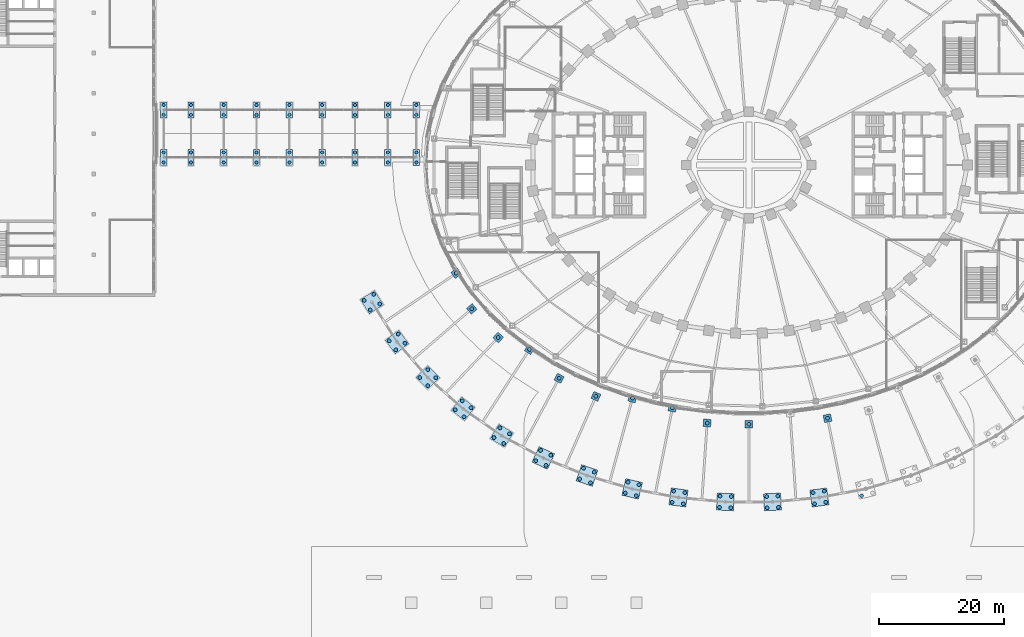
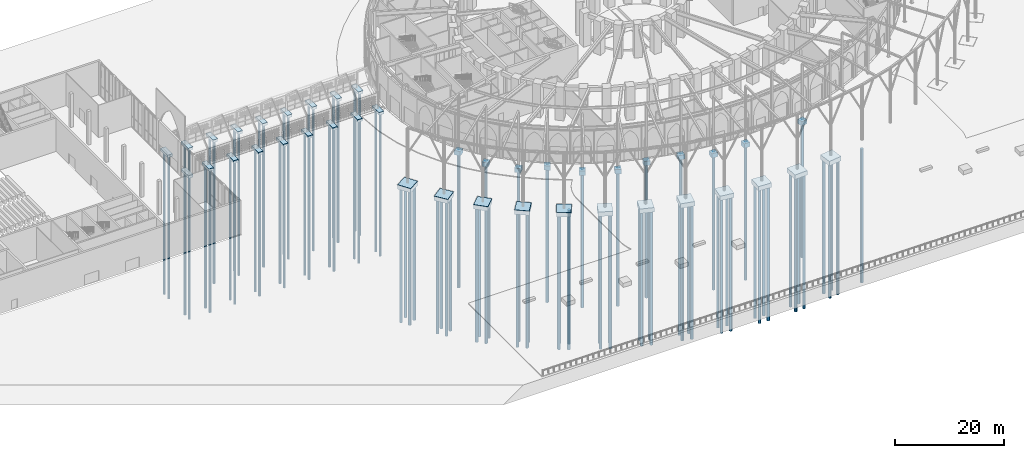
# One storey, part 1 of 79: 96 piles, 41 footings.
"""IFC4 building model written with IfcOpenShell, lengths in metres."""

from ifc_helpers import new_model, si_unit, direction, frame, origin, origin_2d, place, context, subcontext, project, spatial, polyline, circle, outline, extrude, material, layer, layer_set, material_profile, profile_set, type_object, element, save


model = new_model("IFC4")

# Units and contexts
model_context = context("Model", 3, precision=1e-05, world=origin(), true_north=direction((0.0, 1.0)))
body_context = subcontext(model_context, "Body", "Model", "MODEL_VIEW")
ifc_project = project(units=[si_unit("LENGTHUNIT", "METRE"), si_unit("AREAUNIT", "SQUARE_METRE"), si_unit("VOLUMEUNIT", "CUBIC_METRE"), si_unit("PLANEANGLEUNIT", "RADIAN"), si_unit("MASSUNIT", "GRAM", prefix="KILO")], contexts=[model_context])

# Site, building, storey
site_placement = place(None, origin())
site = spatial("IfcSite", under=ifc_project, at=site_placement, CompositionType="ELEMENT")
building_placement = place(site_placement, origin())
building = spatial("IfcBuilding", under=site, at=building_placement, Name="Noorbagh Ring Tower", CompositionType="ELEMENT")
storey_placement = place(building_placement, origin())
storey = spatial("IfcBuildingStorey", under=building, at=storey_placement, Name="L00", CompositionType="ELEMENT", Elevation=0.0)

# Footings
ifc_material_1 = material(Name="Concrete C40/50", Category="concrete")
footing_type_1 = type_object("IfcFootingType", Name="AR-CAP", PredefinedType="PILE_CAP", material=ifc_material_1)
footing_1_placement = place(storey_placement, frame((0.0, 0.0, -0.60009765625)))
element("IfcFooting", 1, at=footing_1_placement, inside=storey, type_object=footing_type_1, Name="Arcade pile cap 1S", PredefinedType="PILE_CAP", context=body_context, shape_type="SweptSolid", body=[
    extrude(outline(polyline([(-94.10009765625, -0.10009765625), (-93.10009765625, -0.10009765625), (-93.10009765625, 2.5), (-94.10009765625, 2.5), (-94.10009765625, -0.10009765625)])), origin(), (0.0, 0.0, 1.0), 0.60009765625),
])
footing_2_placement = place(storey_placement, frame((0.0, 0.0, -0.60009765625)))
element("IfcFooting", 2, at=footing_2_placement, inside=storey, type_object=footing_type_1, Name="Arcade pile cap 1N", PredefinedType="PILE_CAP", context=body_context, shape_type="SweptSolid", body=[
    extrude(outline(polyline([(-94.10009765625, 7.5), (-93.10009765625, 7.5), (-93.10009765625, 10.10009765625), (-94.10009765625, 10.10009765625), (-94.10009765625, 7.5)])), origin(), (0.0, 0.0, 1.0), 0.60009765625),
])
footing_3_placement = place(storey_placement, frame((0.0, 0.0, -0.60009765625)))
element("IfcFooting", 3, at=footing_3_placement, inside=storey, type_object=footing_type_1, Name="Arcade pile cap 2S", PredefinedType="PILE_CAP", context=body_context, shape_type="SweptSolid", body=[
    extrude(outline(polyline([(-89.75, -0.10009765625), (-88.75, -0.10009765625), (-88.75, 2.5), (-89.75, 2.5), (-89.75, -0.10009765625)])), origin(), (0.0, 0.0, 1.0), 0.60009765625),
])
footing_4_placement = place(storey_placement, frame((0.0, 0.0, -0.60009765625)))
element("IfcFooting", 4, at=footing_4_placement, inside=storey, type_object=footing_type_1, Name="Arcade pile cap 2N", PredefinedType="PILE_CAP", context=body_context, shape_type="SweptSolid", body=[
    extrude(outline(polyline([(-89.75, 7.5), (-88.75, 7.5), (-88.75, 10.10009765625), (-89.75, 10.10009765625), (-89.75, 7.5)])), origin(), (0.0, 0.0, 1.0), 0.60009765625),
])
footing_5_placement = place(storey_placement, frame((0.0, 0.0, -0.60009765625)))
element("IfcFooting", 5, at=footing_5_placement, inside=storey, type_object=footing_type_1, Name="Arcade pile cap 3S", PredefinedType="PILE_CAP", context=body_context, shape_type="SweptSolid", body=[
    extrude(outline(polyline([(-84.5, -0.10009765625), (-83.5, -0.10009765625), (-83.5, 2.5), (-84.5, 2.5), (-84.5, -0.10009765625)])), origin(), (0.0, 0.0, 1.0), 0.60009765625),
])
footing_6_placement = place(storey_placement, frame((0.0, 0.0, -0.60009765625)))
element("IfcFooting", 6, at=footing_6_placement, inside=storey, type_object=footing_type_1, Name="Arcade pile cap 3N", PredefinedType="PILE_CAP", context=body_context, shape_type="SweptSolid", body=[
    extrude(outline(polyline([(-84.5, 7.5), (-83.5, 7.5), (-83.5, 10.10009765625), (-84.5, 10.10009765625), (-84.5, 7.5)])), origin(), (0.0, 0.0, 1.0), 0.60009765625),
])
footing_7_placement = place(storey_placement, frame((0.0, 0.0, -0.60009765625)))
element("IfcFooting", 7, at=footing_7_placement, inside=storey, type_object=footing_type_1, Name="Arcade pile cap 4S", PredefinedType="PILE_CAP", context=body_context, shape_type="SweptSolid", body=[
    extrude(outline(polyline([(-79.25, -0.10009765625), (-78.25, -0.10009765625), (-78.25, 2.5), (-79.25, 2.5), (-79.25, -0.10009765625)])), origin(), (0.0, 0.0, 1.0), 0.60009765625),
])
footing_8_placement = place(storey_placement, frame((0.0, 0.0, -0.60009765625)))
element("IfcFooting", 8, at=footing_8_placement, inside=storey, type_object=footing_type_1, Name="Arcade pile cap 4N", PredefinedType="PILE_CAP", context=body_context, shape_type="SweptSolid", body=[
    extrude(outline(polyline([(-79.25, 7.5), (-78.25, 7.5), (-78.25, 10.10009765625), (-79.25, 10.10009765625), (-79.25, 7.5)])), origin(), (0.0, 0.0, 1.0), 0.60009765625),
])
footing_9_placement = place(storey_placement, frame((0.0, 0.0, -0.60009765625)))
element("IfcFooting", 9, at=footing_9_placement, inside=storey, type_object=footing_type_1, Name="Arcade pile cap 5S", PredefinedType="PILE_CAP", context=body_context, shape_type="SweptSolid", body=[
    extrude(outline(polyline([(-74.0, -0.10009765625), (-73.0, -0.10009765625), (-73.0, 2.5), (-74.0, 2.5), (-74.0, -0.10009765625)])), origin(), (0.0, 0.0, 1.0), 0.60009765625),
])
footing_10_placement = place(storey_placement, frame((0.0, 0.0, -0.60009765625)))
element("IfcFooting", 10, at=footing_10_placement, inside=storey, type_object=footing_type_1, Name="Arcade pile cap 5N", PredefinedType="PILE_CAP", context=body_context, shape_type="SweptSolid", body=[
    extrude(outline(polyline([(-74.0, 7.5), (-73.0, 7.5), (-73.0, 10.10009765625), (-74.0, 10.10009765625), (-74.0, 7.5)])), origin(), (0.0, 0.0, 1.0), 0.60009765625),
])
footing_11_placement = place(storey_placement, frame((0.0, 0.0, -0.60009765625)))
element("IfcFooting", 11, at=footing_11_placement, inside=storey, type_object=footing_type_1, Name="Arcade pile cap 6S", PredefinedType="PILE_CAP", context=body_context, shape_type="SweptSolid", body=[
    extrude(outline(polyline([(-68.75, -0.10009765625), (-67.75, -0.10009765625), (-67.75, 2.5), (-68.75, 2.5), (-68.75, -0.10009765625)])), origin(), (0.0, 0.0, 1.0), 0.60009765625),
])
footing_12_placement = place(storey_placement, frame((0.0, 0.0, -0.60009765625)))
element("IfcFooting", 12, at=footing_12_placement, inside=storey, type_object=footing_type_1, Name="Arcade pile cap 6N", PredefinedType="PILE_CAP", context=body_context, shape_type="SweptSolid", body=[
    extrude(outline(polyline([(-68.75, 7.5), (-67.75, 7.5), (-67.75, 10.10009765625), (-68.75, 10.10009765625), (-68.75, 7.5)])), origin(), (0.0, 0.0, 1.0), 0.60009765625),
])
footing_13_placement = place(storey_placement, frame((0.0, 0.0, -0.60009765625)))
element("IfcFooting", 13, at=footing_13_placement, inside=storey, type_object=footing_type_1, Name="Arcade pile cap 7S", PredefinedType="PILE_CAP", context=body_context, shape_type="SweptSolid", body=[
    extrude(outline(polyline([(-63.5, -0.10009765625), (-62.5, -0.10009765625), (-62.5, 2.5), (-63.5, 2.5), (-63.5, -0.10009765625)])), origin(), (0.0, 0.0, 1.0), 0.60009765625),
])
footing_14_placement = place(storey_placement, frame((0.0, 0.0, -0.60009765625)))
element("IfcFooting", 14, at=footing_14_placement, inside=storey, type_object=footing_type_1, Name="Arcade pile cap 7N", PredefinedType="PILE_CAP", context=body_context, shape_type="SweptSolid", body=[
    extrude(outline(polyline([(-63.5, 7.5), (-62.5, 7.5), (-62.5, 10.10009765625), (-63.5, 10.10009765625), (-63.5, 7.5)])), origin(), (0.0, 0.0, 1.0), 0.60009765625),
])
footing_15_placement = place(storey_placement, frame((0.0, 0.0, -0.60009765625)))
element("IfcFooting", 15, at=footing_15_placement, inside=storey, type_object=footing_type_1, Name="Arcade pile cap 8S", PredefinedType="PILE_CAP", context=body_context, shape_type="SweptSolid", body=[
    extrude(outline(polyline([(-58.25, -0.10009765625), (-57.25, -0.10009765625), (-57.25, 2.5), (-58.25, 2.5), (-58.25, -0.10009765625)])), origin(), (0.0, 0.0, 1.0), 0.60009765625),
])
footing_16_placement = place(storey_placement, frame((0.0, 0.0, -0.60009765625)))
element("IfcFooting", 16, at=footing_16_placement, inside=storey, type_object=footing_type_1, Name="Arcade pile cap 8N", PredefinedType="PILE_CAP", context=body_context, shape_type="SweptSolid", body=[
    extrude(outline(polyline([(-58.25, 7.5), (-57.25, 7.5), (-57.25, 10.10009765625), (-58.25, 10.10009765625), (-58.25, 7.5)])), origin(), (0.0, 0.0, 1.0), 0.60009765625),
])
footing_17_placement = place(storey_placement, frame((0.0, 0.0, -0.60009765625)))
element("IfcFooting", 17, at=footing_17_placement, inside=storey, type_object=footing_type_1, Name="Arcade pile cap 9S", PredefinedType="PILE_CAP", context=body_context, shape_type="SweptSolid", body=[
    extrude(outline(polyline([(-53.699951171875, -0.10009765625), (-52.699951171875, -0.10009765625), (-52.699951171875, 2.5), (-53.699951171875, 2.5), (-53.699951171875, -0.10009765625)])), origin(), (0.0, 0.0, 1.0), 0.60009765625),
])
footing_18_placement = place(storey_placement, frame((0.0, 0.0, -0.60009765625)))
element("IfcFooting", 18, at=footing_18_placement, inside=storey, type_object=footing_type_1, Name="Arcade pile cap 9N", PredefinedType="PILE_CAP", context=body_context, shape_type="SweptSolid", body=[
    extrude(outline(polyline([(-53.699951171875, 7.5), (-52.699951171875, 7.5), (-52.699951171875, 10.10009765625), (-53.699951171875, 10.10009765625), (-53.699951171875, 7.5)])), origin(), (0.0, 0.0, 1.0), 0.60009765625),
])

# Piles
ifc_material_2 = material(Name="Concrete C40/50", Category="concrete")
ifc_material_profile_1 = material_profile(ifc_material_2, circle(Radius=0.25, at=origin_2d()), Name="PILE500")
ifc_profile_set_1 = profile_set([ifc_material_profile_1], Name="Concrete C40/50")
pile_type_1 = type_object("IfcPileType", Name="AR-PILE", PredefinedType="BORED", material=ifc_profile_set_1)
for number, where, z_axis, x_axis, name in (
    (19, (-93.60009765625, 0.39990234375, -0.5), (0.0, 0.0, -1.0), (1.0, 0.0, 0.0), "Arcade pile"),
    (20, (-93.60009765625, 2.0, -0.5), (0.0, 0.0, -1.0), (1.0, 0.0, 0.0), "Arcade pile"),
    (21, (-93.60009765625, 8.0, -0.5), (0.0, 0.0, -1.0), (1.0, 0.0, 0.0), "Arcade pile"),
    (22, (-93.60009765625, 9.60009765625, -0.5), (0.0, 0.0, -1.0), (1.0, 0.0, 0.0), "Arcade pile"),
    (23, (-89.25, 0.39990234375, -0.5), (0.0, 0.0, -1.0), (1.0, 0.0, 0.0), "Arcade pile"),
    (24, (-89.25, 2.0, -0.5), (0.0, 0.0, -1.0), (1.0, 0.0, 0.0), "Arcade pile"),
    (25, (-89.25, 8.0, -0.5), (0.0, 0.0, -1.0), (1.0, 0.0, 0.0), "Arcade pile"),
    (26, (-89.25, 9.60009765625, -0.5), (0.0, 0.0, -1.0), (1.0, 0.0, 0.0), "Arcade pile"),
    (27, (-84.0, 0.39990234375, -0.5), (0.0, 0.0, -1.0), (1.0, 0.0, 0.0), "Arcade pile"),
    (28, (-84.0, 2.0, -0.5), (0.0, 0.0, -1.0), (1.0, 0.0, 0.0), "Arcade pile"),
    (29, (-84.0, 8.0, -0.5), (0.0, 0.0, -1.0), (1.0, 0.0, 0.0), "Arcade pile"),
    (30, (-84.0, 9.60009765625, -0.5), (0.0, 0.0, -1.0), (1.0, 0.0, 0.0), "Arcade pile"),
    (31, (-78.75, 0.39990234375, -0.5), (0.0, 0.0, -1.0), (1.0, 0.0, 0.0), "Arcade pile"),
    (32, (-78.75, 2.0, -0.5), (0.0, 0.0, -1.0), (1.0, 0.0, 0.0), "Arcade pile"),
    (33, (-78.75, 8.0, -0.5), (0.0, 0.0, -1.0), (1.0, 0.0, 0.0), "Arcade pile"),
    (34, (-78.75, 9.60009765625, -0.5), (0.0, 0.0, -1.0), (1.0, 0.0, 0.0), "Arcade pile"),
    (35, (-73.5, 0.39990234375, -0.5), (0.0, 0.0, -1.0), (1.0, 0.0, 0.0), "Arcade pile"),
    (36, (-73.5, 2.0, -0.5), (0.0, 0.0, -1.0), (1.0, 0.0, 0.0), "Arcade pile"),
    (37, (-73.5, 8.0, -0.5), (0.0, 0.0, -1.0), (1.0, 0.0, 0.0), "Arcade pile"),
    (38, (-73.5, 9.60009765625, -0.5), (0.0, 0.0, -1.0), (1.0, 0.0, 0.0), "Arcade pile"),
    (39, (-68.25, 0.39990234375, -0.5), (0.0, 0.0, -1.0), (1.0, 0.0, 0.0), "Arcade pile"),
    (40, (-68.25, 2.0, -0.5), (0.0, 0.0, -1.0), (1.0, 0.0, 0.0), "Arcade pile"),
    (41, (-68.25, 8.0, -0.5), (0.0, 0.0, -1.0), (1.0, 0.0, 0.0), "Arcade pile"),
    (42, (-68.25, 9.60009765625, -0.5), (0.0, 0.0, -1.0), (1.0, 0.0, 0.0), "Arcade pile"),
    (43, (-63.0, 0.39990234375, -0.5), (0.0, 0.0, -1.0), (1.0, 0.0, 0.0), "Arcade pile"),
    (44, (-63.0, 2.0, -0.5), (0.0, 0.0, -1.0), (1.0, 0.0, 0.0), "Arcade pile"),
    (45, (-63.0, 8.0, -0.5), (0.0, 0.0, -1.0), (1.0, 0.0, 0.0), "Arcade pile"),
    (46, (-63.0, 9.60009765625, -0.5), (0.0, 0.0, -1.0), (1.0, 0.0, 0.0), "Arcade pile"),
    (47, (-57.75, 0.39990234375, -0.5), (0.0, 0.0, -1.0), (1.0, 0.0, 0.0), "Arcade pile"),
    (48, (-57.75, 2.0, -0.5), (0.0, 0.0, -1.0), (1.0, 0.0, 0.0), "Arcade pile"),
    (49, (-57.75, 8.0, -0.5), (0.0, 0.0, -1.0), (1.0, 0.0, 0.0), "Arcade pile"),
    (50, (-57.75, 9.60009765625, -0.5), (0.0, 0.0, -1.0), (1.0, 0.0, 0.0), "Arcade pile"),
    (51, (-53.199951171875, 0.39990234375, -0.5), (0.0, 0.0, -1.0), (1.0, 0.0, 0.0), "Arcade pile"),
    (52, (-53.199951171875, 2.0, -0.5), (0.0, 0.0, -1.0), (1.0, 0.0, 0.0), "Arcade pile"),
    (53, (-53.199951171875, 8.0, -0.5), (0.0, 0.0, -1.0), (1.0, 0.0, 0.0), "Arcade pile"),
    (54, (-53.199951171875, 9.60009765625, -0.5), (0.0, 0.0, -1.0), (1.0, 0.0, 0.0), "Arcade pile"),
):
    element("IfcPile", number, at=place(storey_placement, frame(where, z_axis=z_axis, x_axis=x_axis)), inside=storey, type_object=pile_type_1, Name=name, PredefinedType="BORED", context=body_context, shape_type="SweptSolid", body=[
        extrude(circle(Radius=0.25, at=origin_2d()), origin(), (0.0, 0.0, 1.0), 32.0),
    ])

# Footings
ifc_material_3 = material(Name="Concrete C50/60", Category="concrete")
ifc_layer_1 = layer(ifc_material_3, 1.0)
ifc_layer_set_1 = layer_set([ifc_layer_1], Name="Concrete C50/60")
footing_type_2 = type_object("IfcFootingType", Name="GND-CANOPY-CAP", PredefinedType="PILE_CAP", material=ifc_layer_set_1)
footing_19_placement = place(storey_placement, frame((0.0, 0.0, -1.14990234375)))
element("IfcFooting", 55, at=footing_19_placement, inside=storey, type_object=footing_type_2, Name="Canopy trunk 1 cap", PredefinedType="PILE_CAP", context=body_context, shape_type="SweptSolid", body=[
    extrude(outline(polyline([(-62.173828125, -21.5224609375), (-60.72216796875, -23.822509765625), (-58.422119140625, -22.370849609375), (-59.873779296875, -20.07080078125), (-62.173828125, -21.5224609375)])), origin(), (0.0, 0.0, 1.0), 1.0),
])
footing_20_placement = place(storey_placement, frame((0.0, 0.0, -1.14990234375)))
element("IfcFooting", 56, at=footing_20_placement, inside=storey, type_object=footing_type_2, Name="Canopy trunk 2 cap", PredefinedType="PILE_CAP", context=body_context, shape_type="SweptSolid", body=[
    extrude(outline(polyline([(-58.181640625, -28.0302734375), (-56.562255859375, -30.2158203125), (-54.376708984375, -28.596435546875), (-55.99609375, -26.410888671875), (-58.181640625, -28.0302734375)])), origin(), (0.0, 0.0, 1.0), 1.0),
])
footing_21_placement = place(storey_placement, frame((0.0, 0.0, -1.14990234375)))
element("IfcFooting", 57, at=footing_21_placement, inside=storey, type_object=footing_type_2, Name="Canopy trunk 3 cap", PredefinedType="PILE_CAP", context=body_context, shape_type="SweptSolid", body=[
    extrude(outline(polyline([(-53.280517578125, -34.003173828125), (-51.367919921875, -35.9375), (-49.433837890625, -34.025146484375), (-51.34619140625, -32.0908203125), (-53.280517578125, -34.003173828125)])), origin(), (0.0, 0.0, 1.0), 1.0),
])
footing_22_placement = place(storey_placement, frame((0.0, 0.0, -1.14990234375)))
element("IfcFooting", 58, at=footing_22_placement, inside=storey, type_object=footing_type_2, Name="Canopy trunk 4 cap", PredefinedType="PILE_CAP", context=body_context, shape_type="SweptSolid", body=[
    extrude(outline(polyline([(-47.62255859375, -39.229736328125), (-45.48388671875, -40.910400390625), (-43.80322265625, -38.77197265625), (-45.94189453125, -37.09130859375), (-47.62255859375, -39.229736328125)])), origin(), (0.0, 0.0, 1.0), 1.0),
])
footing_23_placement = place(storey_placement, frame((0.0, 0.0, -1.14990234375)))
element("IfcFooting", 59, at=footing_23_placement, inside=storey, type_object=footing_type_2, Name="Canopy trunk 5 cap", PredefinedType="PILE_CAP", context=body_context, shape_type="SweptSolid", body=[
    extrude(outline(polyline([(-41.4033203125, -43.755126953125), (-39.08447265625, -45.177001953125), (-37.66259765625, -42.8583984375), (-39.981201171875, -41.4365234375), (-41.4033203125, -43.755126953125)])), origin(), (0.0, 0.0, 1.0), 1.0),
])
footing_24_placement = place(storey_placement, frame((0.0, 0.0, -1.14990234375)))
element("IfcFooting", 60, at=footing_24_placement, inside=storey, type_object=footing_type_2, Name="Canopy trunk 6 cap", PredefinedType="PILE_CAP", context=body_context, shape_type="SweptSolid", body=[
    extrude(outline(polyline([(-34.699462890625, -47.52001953125), (-32.23486328125, -48.670654296875), (-31.084228515625, -46.2060546875), (-33.548828125, -45.055419921875), (-34.699462890625, -47.52001953125)])), origin(), (0.0, 0.0, 1.0), 1.0),
])
footing_25_placement = place(storey_placement, frame((0.0, 0.0, -1.14990234375)))
element("IfcFooting", 61, at=footing_25_placement, inside=storey, type_object=footing_type_2, Name="Canopy trunk 7 cap", PredefinedType="PILE_CAP", context=body_context, shape_type="SweptSolid", body=[
    extrude(outline(polyline([(-27.63232421875, -50.5087890625), (-25.0634765625, -51.402587890625), (-24.169677734375, -48.833740234375), (-26.73876953125, -47.93994140625), (-27.63232421875, -50.5087890625)])), origin(), (0.0, 0.0, 1.0), 1.0),
])
footing_26_placement = place(storey_placement, frame((0.0, 0.0, -1.14990234375)))
element("IfcFooting", 62, at=footing_26_placement, inside=storey, type_object=footing_type_2, Name="Canopy trunk 8 cap", PredefinedType="PILE_CAP", context=body_context, shape_type="SweptSolid", body=[
    extrude(outline(polyline([(-20.316162109375, -52.813720703125), (-17.671142578125, -53.448486328125), (-17.03662109375, -50.803466796875), (-19.681396484375, -50.168701171875), (-20.316162109375, -52.813720703125)])), origin(), (0.0, 0.0, 1.0), 1.0),
])
footing_27_placement = place(storey_placement, frame((0.0, 0.0, -1.14990234375)))
element("IfcFooting", 63, at=footing_27_placement, inside=storey, type_object=footing_type_2, Name="Canopy trunk 9 cap", PredefinedType="PILE_CAP", context=body_context, shape_type="SweptSolid", body=[
    extrude(outline(polyline([(-12.80322265625, -54.3408203125), (-10.109375, -54.71728515625), (-9.733154296875, -52.0234375), (-12.427001953125, -51.647216796875), (-12.80322265625, -54.3408203125)])), origin(), (0.0, 0.0, 1.0), 1.0),
])
footing_28_placement = place(storey_placement, frame((0.0, 0.0, -1.14990234375)))
element("IfcFooting", 64, at=footing_28_placement, inside=storey, type_object=footing_type_2, Name="Canopy trunk 10 cap", PredefinedType="PILE_CAP", context=body_context, shape_type="SweptSolid", body=[
    extrude(outline(polyline([(-5.189697265625, -55.18603515625), (-2.47265625, -55.314208984375), (-2.344482421875, -52.597412109375), (-5.0615234375, -52.468994140625), (-5.189697265625, -55.18603515625)])), origin(), (0.0, 0.0, 1.0), 1.0),
])
footing_29_placement = place(storey_placement, frame((0.0, 0.0, -1.14990234375)))
element("IfcFooting", 65, at=footing_29_placement, inside=storey, type_object=footing_type_2, Name="Canopy trunk 11 cap", PredefinedType="PILE_CAP", context=body_context, shape_type="SweptSolid", body=[
    extrude(outline(polyline([(2.47265625, -55.314208984375), (5.189697265625, -55.18603515625), (5.0615234375, -52.468994140625), (2.344482421875, -52.597412109375), (2.47265625, -55.314208984375)])), origin(), (0.0, 0.0, 1.0), 1.0),
])
footing_30_placement = place(storey_placement, frame((0.0, 0.0, -1.14990234375)))
element("IfcFooting", 66, at=footing_30_placement, inside=storey, type_object=footing_type_2, Name="Canopy trunk 12 cap", PredefinedType="PILE_CAP", context=body_context, shape_type="SweptSolid", body=[
    extrude(outline(polyline([(10.109375, -54.71728515625), (12.80322265625, -54.3408203125), (12.427001953125, -51.647216796875), (9.733154296875, -52.0234375), (10.109375, -54.71728515625)])), origin(), (0.0, 0.0, 1.0), 1.0),
])

# Piles
ifc_material_4 = material(Name="Concrete C50/60", Category="concrete")
ifc_material_profile_2 = material_profile(ifc_material_4, circle(Radius=0.300048828125, at=origin_2d()), Name="PILE600")
ifc_profile_set_2 = profile_set([ifc_material_profile_2], Name="Concrete C50/60")
pile_type_2 = type_object("IfcPileType", Name="GND-CANOPY-PILE", PredefinedType="BORED", material=ifc_profile_set_2)
for number, where, z_axis, x_axis, name in (
    (67, (-61.539306640625, -21.666015625, -1.050048828125), (0.0, 0.0, -1.0), (1.0, 0.0, 0.0), "L00/pile/CT01-1"),
    (68, (-60.57861328125, -23.18798828125, -1.050048828125), (0.0, 0.0, -1.0), (1.0, 0.0, 0.0), "L00/pile/CT01-2"),
    (69, (-59.056396484375, -22.227294921875, -1.050048828125), (0.0, 0.0, -1.0), (1.0, 0.0, 0.0), "L00/pile/CT01-3"),
    (70, (-60.017333984375, -20.705078125, -1.050048828125), (0.0, 0.0, -1.0), (1.0, 0.0, 0.0), "L00/pile/CT01-4"),
    (71, (-57.5380859375, -28.1259765625, -1.050048828125), (0.0, 0.0, -1.0), (1.0, 0.0, 0.0), "L00/pile/CT02-1"),
    (72, (-56.466552734375, -29.572265625, -1.050048828125), (0.0, 0.0, -1.0), (1.0, 0.0, 0.0), "L00/pile/CT02-2"),
    (73, (-55.020263671875, -28.50048828125, -1.050048828125), (0.0, 0.0, -1.0), (1.0, 0.0, 0.0), "L00/pile/CT02-3"),
    (74, (-56.091796875, -27.054443359375, -1.050048828125), (0.0, 0.0, -1.0), (1.0, 0.0, 0.0), "L00/pile/CT02-4"),
    (75, (-52.6298828125, -34.0068359375, -1.050048828125), (0.0, 0.0, -1.0), (1.0, 0.0, 0.0), "L00/pile/CT03-1"),
    (76, (-51.3642578125, -35.286865234375, -1.050048828125), (0.0, 0.0, -1.0), (1.0, 0.0, 0.0), "L00/pile/CT03-2"),
    (77, (-50.084228515625, -34.021240234375, -1.050048828125), (0.0, 0.0, -1.0), (1.0, 0.0, 0.0), "L00/pile/CT03-3"),
    (78, (-51.349853515625, -32.7412109375, -1.050048828125), (0.0, 0.0, -1.0), (1.0, 0.0, 0.0), "L00/pile/CT03-4"),
    (79, (-46.9765625, -39.15234375, -1.050048828125), (0.0, 0.0, -1.0), (1.0, 0.0, 0.0), "L00/pile/CT04-1"),
    (80, (-45.561279296875, -40.2646484375, -1.050048828125), (0.0, 0.0, -1.0), (1.0, 0.0, 0.0), "L00/pile/CT04-2"),
    (81, (-44.44921875, -38.849365234375, -1.050048828125), (0.0, 0.0, -1.0), (1.0, 0.0, 0.0), "L00/pile/CT04-3"),
    (82, (-45.8642578125, -37.737060546875, -1.050048828125), (0.0, 0.0, -1.0), (1.0, 0.0, 0.0), "L00/pile/CT04-4"),
    (83, (-40.7705078125, -43.603515625, -1.050048828125), (0.0, 0.0, -1.0), (1.0, 0.0, 0.0), "L00/pile/CT05-1"),
    (84, (-39.236083984375, -44.54443359375, -1.050048828125), (0.0, 0.0, -1.0), (1.0, 0.0, 0.0), "L00/pile/CT05-2"),
    (85, (-38.295166015625, -43.010009765625, -1.050048828125), (0.0, 0.0, -1.0), (1.0, 0.0, 0.0), "L00/pile/CT05-3"),
    (86, (-39.82958984375, -42.069091796875, -1.050048828125), (0.0, 0.0, -1.0), (1.0, 0.0, 0.0), "L00/pile/CT05-4"),
    (87, (-34.088134765625, -47.2978515625, -1.050048828125), (0.0, 0.0, -1.0), (1.0, 0.0, 0.0), "L00/pile/CT06-1"),
    (88, (-32.45703125, -48.059326171875, -1.050048828125), (0.0, 0.0, -1.0), (1.0, 0.0, 0.0), "L00/pile/CT06-2"),
    (89, (-31.695556640625, -46.42822265625, -1.050048828125), (0.0, 0.0, -1.0), (1.0, 0.0, 0.0), "L00/pile/CT06-3"),
    (90, (-33.32666015625, -45.666748046875, -1.050048828125), (0.0, 0.0, -1.0), (1.0, 0.0, 0.0), "L00/pile/CT06-4"),
    (91, (-27.046875, -50.2255859375, -1.050048828125), (0.0, 0.0, -1.0), (1.0, 0.0, 0.0), "L00/pile/CT07-1"),
    (92, (-25.3466796875, -50.81689453125, -1.050048828125), (0.0, 0.0, -1.0), (1.0, 0.0, 0.0), "L00/pile/CT07-2"),
    (93, (-24.75537109375, -49.116943359375, -1.050048828125), (0.0, 0.0, -1.0), (1.0, 0.0, 0.0), "L00/pile/CT07-3"),
    (94, (-26.455322265625, -48.525390625, -1.050048828125), (0.0, 0.0, -1.0), (1.0, 0.0, 0.0), "L00/pile/CT07-4"),
    (95, (-19.761474609375, -52.473876953125, -1.050048828125), (0.0, 0.0, -1.0), (1.0, 0.0, 0.0), "L00/pile/CT08-1"),
    (96, (-18.01123046875, -52.893798828125, -1.050048828125), (0.0, 0.0, -1.0), (1.0, 0.0, 0.0), "L00/pile/CT08-2"),
    (97, (-17.59130859375, -51.143310546875, -1.050048828125), (0.0, 0.0, -1.0), (1.0, 0.0, 0.0), "L00/pile/CT08-3"),
    (98, (-19.341552734375, -50.723388671875, -1.050048828125), (0.0, 0.0, -1.0), (1.0, 0.0, 0.0), "L00/pile/CT08-4"),
    (99, (-12.283935546875, -53.948974609375, -1.050048828125), (0.0, 0.0, -1.0), (1.0, 0.0, 0.0), "L00/pile/CT09-1"),
    (100, (-10.50146484375, -54.197998046875, -1.050048828125), (0.0, 0.0, -1.0), (1.0, 0.0, 0.0), "L00/pile/CT09-2"),
    (101, (-10.252197265625, -52.415283203125, -1.050048828125), (0.0, 0.0, -1.0), (1.0, 0.0, 0.0), "L00/pile/CT09-3"),
    (102, (-12.034912109375, -52.166259765625, -1.050048828125), (0.0, 0.0, -1.0), (1.0, 0.0, 0.0), "L00/pile/CT09-4"),
    (103, (-4.70849609375, -54.748291015625, -1.050048828125), (0.0, 0.0, -1.0), (1.0, 0.0, 0.0), "L00/pile/CT10-1"),
    (104, (-2.91064453125, -54.8330078125, -1.050048828125), (0.0, 0.0, -1.0), (1.0, 0.0, 0.0), "L00/pile/CT10-2"),
    (105, (-2.82568359375, -53.03515625, -1.050048828125), (0.0, 0.0, -1.0), (1.0, 0.0, 0.0), "L00/pile/CT10-3"),
    (106, (-4.623779296875, -52.9501953125, -1.050048828125), (0.0, 0.0, -1.0), (1.0, 0.0, 0.0), "L00/pile/CT10-4"),
    (107, (2.91064453125, -54.8330078125, -1.050048828125), (0.0, 0.0, -1.0), (1.0, 0.0, 0.0), "L00/pile/CT11-1"),
    (108, (4.70849609375, -54.748291015625, -1.050048828125), (0.0, 0.0, -1.0), (1.0, 0.0, 0.0), "L00/pile/CT11-2"),
    (109, (4.623779296875, -52.9501953125, -1.050048828125), (0.0, 0.0, -1.0), (1.0, 0.0, 0.0), "L00/pile/CT11-3"),
    (110, (2.82568359375, -53.03515625, -1.050048828125), (0.0, 0.0, -1.0), (1.0, 0.0, 0.0), "L00/pile/CT11-4"),
    (111, (10.50146484375, -54.197998046875, -1.050048828125), (0.0, 0.0, -1.0), (1.0, 0.0, 0.0), "L00/pile/CT12-1"),
    (112, (12.283935546875, -53.948974609375, -1.050048828125), (0.0, 0.0, -1.0), (1.0, 0.0, 0.0), "L00/pile/CT12-2"),
    (113, (12.034912109375, -52.166259765625, -1.050048828125), (0.0, 0.0, -1.0), (1.0, 0.0, 0.0), "L00/pile/CT12-3"),
    (114, (10.252197265625, -52.415283203125, -1.050048828125), (0.0, 0.0, -1.0), (1.0, 0.0, 0.0), "L00/pile/CT12-4"),
    (115, (18.01123046875, -52.893798828125, -1.050048828125), (0.0, 0.0, -1.0), (1.0, 0.0, 0.0), "L00/pile/CT13-1"),
    (116, (-46.825439453125, -17.3271484375, -1.050048828125), (0.0, 0.0, -1.0), (1.0, 0.0, 0.0), "L00/pile/CP01-1"),
    (117, (-44.3251953125, -23.014404296875, -1.050048828125), (0.0, 0.0, -1.0), (1.0, 0.0, 0.0), "L00/pile/CP02-1"),
    (118, (-40.098876953125, -27.59716796875, -1.050048828125), (0.0, 0.0, -1.0), (1.0, 0.0, 0.0), "L00/pile/CP03-1"),
    (119, (-35.09912109375, -29.50439453125, -1.050048828125), (0.0, 0.0, -1.0), (1.0, 0.0, 0.0), "L00/pile/CP04-1"),
    (120, (-30.3642578125, -34.12939453125, -1.050048828125), (0.0, 0.0, -1.0), (1.0, 0.0, 0.0), "L00/pile/CP05-1"),
    (121, (-24.47607421875, -37.008544921875, -1.050048828125), (0.0, 0.0, -1.0), (1.0, 0.0, 0.0), "L00/pile/CP06-1"),
    (122, (-18.62451171875, -37.320068359375, -1.050048828125), (0.0, 0.0, -1.0), (1.0, 0.0, 0.0), "L00/pile/CP07-1"),
    (123, (-12.23583984375, -38.84521484375, -1.050048828125), (0.0, 0.0, -1.0), (1.0, 0.0, 0.0), "L00/pile/CP08-1"),
    (124, (-6.686767578125, -41.274658203125, -1.050048828125), (0.0, 0.0, -1.0), (1.0, 0.0, 0.0), "L00/pile/CP09-1"),
    (125, (0.0, -41.464111328125, -1.050048828125), (0.0, 0.0, -1.0), (1.0, 0.0, 0.0), "L00/pile/CP10-1"),
    (126, (12.570068359375, -40.511962890625, -1.050048828125), (0.0, 0.0, -1.0), (1.0, 0.0, 0.0), "L00/pile/CP12-1"),
):
    element("IfcPile", number, at=place(storey_placement, frame(where, z_axis=z_axis, x_axis=x_axis)), inside=storey, type_object=pile_type_2, Name=name, PredefinedType="BORED", context=body_context, shape_type="SweptSolid", body=[
        extrude(circle(Radius=0.300048828125, at=origin_2d()), origin(), (0.0, 0.0, 1.0), 30.0),
    ])

# Footings
ifc_material_5 = material(Name="Concrete C50/60", Category="concrete")
ifc_layer_2 = layer(ifc_material_5, 1.0)
ifc_layer_set_2 = layer_set([ifc_layer_2], Name="Concrete C50/60")
footing_type_3 = type_object("IfcFootingType", Name="GND-LINK-POST-CAP", PredefinedType="PILE_CAP", material=ifc_layer_set_2)
footing_31_placement = place(storey_placement, frame((0.0, 0.0, -1.14990234375)))
element("IfcFooting", 127, at=footing_31_placement, inside=storey, type_object=footing_type_3, Name="Canopy link post 1 cap", PredefinedType="PILE_CAP", context=body_context, shape_type="SweptSolid", body=[
    extrude(outline(polyline([(-45.99169921875, -17.485595703125), (-46.98388671875, -18.160888671875), (-47.6591796875, -17.168701171875), (-46.6669921875, -16.493408203125), (-45.99169921875, -17.485595703125)])), origin(), (0.0, 0.0, 1.0), 1.0),
])
footing_32_placement = place(storey_placement, frame((0.0, 0.0, -1.14990234375)))
element("IfcFooting", 128, at=footing_32_placement, inside=storey, type_object=footing_type_3, Name="Canopy link post 2 cap", PredefinedType="PILE_CAP", context=body_context, shape_type="SweptSolid", body=[
    extrude(outline(polyline([(-43.47900390625, -23.07861328125), (-44.3896484375, -23.8603515625), (-45.17138671875, -22.94970703125), (-44.2607421875, -22.168212890625), (-43.47900390625, -23.07861328125)])), origin(), (0.0, 0.0, 1.0), 1.0),
])
footing_33_placement = place(storey_placement, frame((0.0, 0.0, -1.14990234375)))
element("IfcFooting", 129, at=footing_33_placement, inside=storey, type_object=footing_type_3, Name="Canopy link post 3 cap", PredefinedType="PILE_CAP", context=body_context, shape_type="SweptSolid", body=[
    extrude(outline(polyline([(-39.250732421875, -27.573974609375), (-40.07568359375, -28.4453125), (-40.947021484375, -27.620361328125), (-40.1220703125, -26.748779296875), (-39.250732421875, -27.573974609375)])), origin(), (0.0, 0.0, 1.0), 1.0),
])
footing_34_placement = place(storey_placement, frame((0.0, 0.0, -1.14990234375)))
element("IfcFooting", 130, at=footing_34_placement, inside=storey, type_object=footing_type_3, Name="Canopy link post 4 cap", PredefinedType="PILE_CAP", context=body_context, shape_type="SweptSolid", body=[
    extrude(outline(polyline([(-34.269287109375, -29.325927734375), (-34.92041015625, -30.333984375), (-35.928466796875, -29.682861328125), (-35.277587890625, -28.6748046875), (-34.269287109375, -29.325927734375)])), origin(), (0.0, 0.0, 1.0), 1.0),
])
footing_35_placement = place(storey_placement, frame((0.0, 0.0, -1.14990234375)))
element("IfcFooting", 131, at=footing_35_placement, inside=storey, type_object=footing_type_3, Name="Canopy link post 5 cap", PredefinedType="PILE_CAP", context=body_context, shape_type="SweptSolid", body=[
    extrude(outline(polyline([(-29.552490234375, -33.882568359375), (-30.117431640625, -34.941162109375), (-31.17626953125, -34.376220703125), (-30.611083984375, -33.3173828125), (-29.552490234375, -33.882568359375)])), origin(), (0.0, 0.0, 1.0), 1.0),
])
footing_36_placement = place(storey_placement, frame((0.0, 0.0, -1.14990234375)))
element("IfcFooting", 132, at=footing_36_placement, inside=storey, type_object=footing_type_3, Name="Canopy link post 6 cap", PredefinedType="PILE_CAP", context=body_context, shape_type="SweptSolid", body=[
    extrude(outline(polyline([(-23.68603515625, -36.698974609375), (-24.16650390625, -37.798583984375), (-25.26611328125, -37.318115234375), (-24.78564453125, -36.218505859375), (-23.68603515625, -36.698974609375)])), origin(), (0.0, 0.0, 1.0), 1.0),
])
footing_37_placement = place(storey_placement, frame((0.0, 0.0, -1.14990234375)))
element("IfcFooting", 133, at=footing_37_placement, inside=storey, type_object=footing_type_3, Name="Canopy link post 7 cap", PredefinedType="PILE_CAP", context=body_context, shape_type="SweptSolid", body=[
    extrude(outline(polyline([(-17.8876953125, -36.8994140625), (-18.203857421875, -38.056884765625), (-19.361572265625, -37.74072265625), (-19.04541015625, -36.583251953125), (-17.8876953125, -36.8994140625)])), origin(), (0.0, 0.0, 1.0), 1.0),
])
footing_38_placement = place(storey_placement, frame((0.0, 0.0, -1.14990234375)))
element("IfcFooting", 134, at=footing_38_placement, inside=storey, type_object=footing_type_3, Name="Canopy link post 8 cap", PredefinedType="PILE_CAP", context=body_context, shape_type="SweptSolid", body=[
    extrude(outline(polyline([(-11.52978515625, -38.374755859375), (-11.765380859375, -39.551513671875), (-12.942138671875, -39.3154296875), (-12.706298828125, -38.138916015625), (-11.52978515625, -38.374755859375)])), origin(), (0.0, 0.0, 1.0), 1.0),
])
footing_39_placement = place(storey_placement, frame((0.0, 0.0, -1.14990234375)))
element("IfcFooting", 135, at=footing_39_placement, inside=storey, type_object=footing_type_3, Name="Canopy link post 9 cap", PredefinedType="PILE_CAP", context=body_context, shape_type="SweptSolid", body=[
    extrude(outline(polyline([(-6.047607421875, -40.716552734375), (-6.12890625, -41.913818359375), (-7.325927734375, -41.832763671875), (-7.244873046875, -40.635498046875), (-6.047607421875, -40.716552734375)])), origin(), (0.0, 0.0, 1.0), 1.0),
])
footing_40_placement = place(storey_placement, frame((0.0, 0.0, -1.14990234375)))
element("IfcFooting", 136, at=footing_40_placement, inside=storey, type_object=footing_type_3, Name="Canopy link post 10 cap", PredefinedType="PILE_CAP", context=body_context, shape_type="SweptSolid", body=[
    extrude(outline(polyline([(0.60009765625, -40.8642578125), (0.60009765625, -42.064208984375), (-0.60009765625, -42.064208984375), (-0.60009765625, -40.8642578125), (0.60009765625, -40.8642578125)])), origin(), (0.0, 0.0, 1.0), 1.0),
])
footing_41_placement = place(storey_placement, frame((0.0, 0.0, -1.14990234375)))
element("IfcFooting", 137, at=footing_41_placement, inside=storey, type_object=footing_type_3, Name="Canopy link post 12 cap", PredefinedType="PILE_CAP", context=body_context, shape_type="SweptSolid", body=[
    extrude(outline(polyline([(13.040283203125, -39.805908203125), (13.2763671875, -40.982421875), (12.099609375, -41.21826171875), (11.86376953125, -40.04150390625), (13.040283203125, -39.805908203125)])), origin(), (0.0, 0.0, 1.0), 1.0),
])

save(model, "model.ifc")
